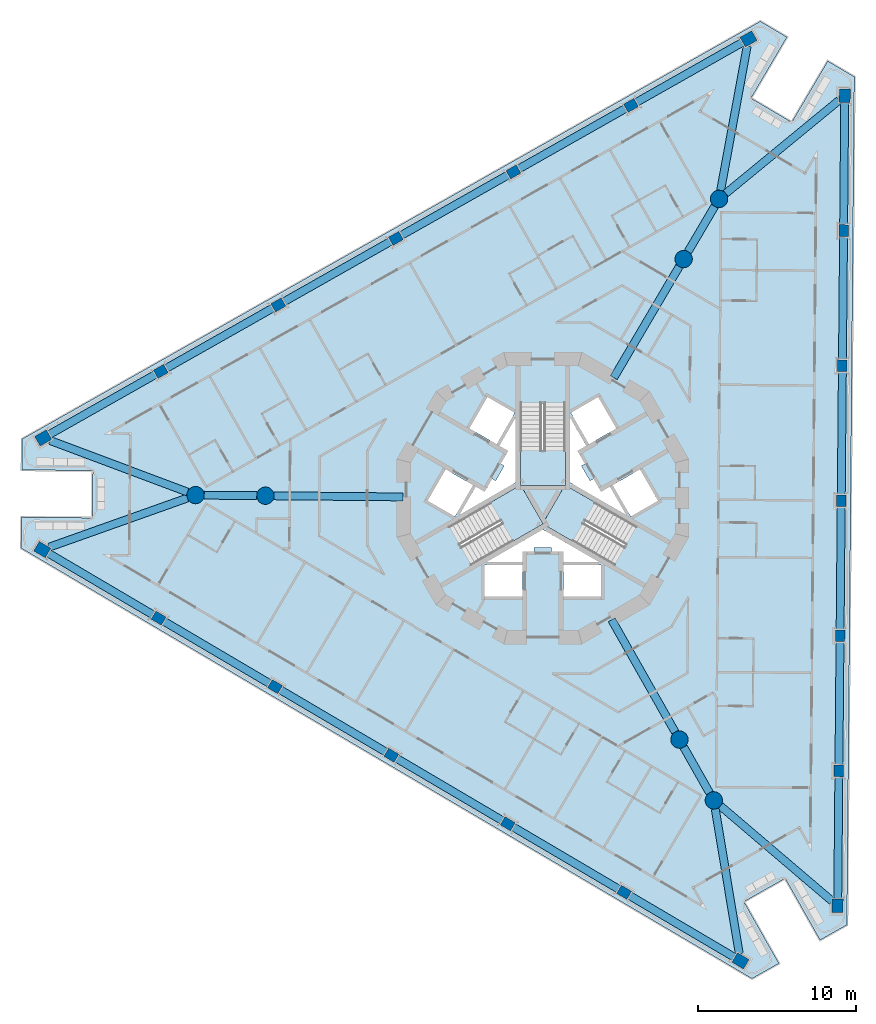
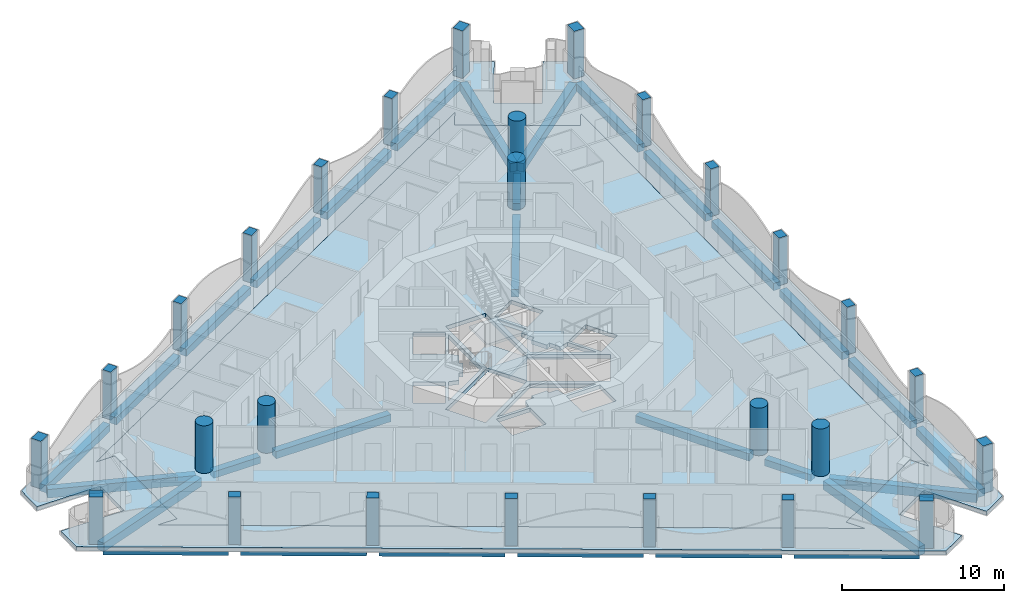
# One storey, part 1 of 17: 30 beams, 27 columns, 6 slabs, 3 elements without a shape of their own.
"""IFC4 building model written with IfcOpenShell, lengths in metres."""

import ifcopenshell
import ifcopenshell.guid

model = None  # the IFC model being written
_history = None  # IfcOwnerHistory: only IFC2X3 demands one
_inside = {}  # id of a spatial element -> (the spatial element, [elements in it])
_under = {}  # id of a project, library or spatial element -> (it, [spatial elements below it])
_declared = {}  # id of a project -> (the project, [libraries it declares])
_typed = {}  # id of a type object -> (the type object, [elements of that type])
_made_of = {}  # id of a material, layer set ... -> (it, [elements and type objects made of it])


def new_model(schema):
    """Start an empty IFC model of exactly this schema.

    Asked for "IFC4X3", IfcOpenShell would pick the latest addendum, in which some entities
    have other attributes; the version numbers below select the first issue.
    IFC2X3 requires an IfcOwnerHistory on every rooted entity: one is made here for all.
    """
    global model, _history
    if schema == "IFC4X3":
        model = ifcopenshell.file(schema_version=(4, 3, 0, 0))
    else:
        model = ifcopenshell.file(schema=schema)
    _inside.clear()
    _under.clear()
    _declared.clear()
    _typed.clear()
    _made_of.clear()
    _history = None
    if model.schema == "IFC2X3":
        org = make("IfcOrganization", Name="unknown")
        user = make(
            "IfcPersonAndOrganization",
            ThePerson=make("IfcPerson", FamilyName="unknown"),
            TheOrganization=org,
        )
        app = make(
            "IfcApplication",
            ApplicationDeveloper=org,
            Version="unknown",
            ApplicationFullName="unknown",
            ApplicationIdentifier="unknown",
        )
        _history = make(
            "IfcOwnerHistory",
            OwningUser=user,
            OwningApplication=app,
            ChangeAction="ADDED",
            CreationDate=0,
        )
    return model


def make(cls, **values):
    """One entity of the class cls with the attributes given. An attribute that is None is left unset."""
    return model.create_entity(
        cls, **{name: value for name, value in values.items() if value is not None}
    )


def rooted(cls, **values):
    """An entity with a GlobalId (a new one), such as an element, a storey or a relation."""
    return make(cls, GlobalId=ifcopenshell.guid.new(), OwnerHistory=_history, **values)


def si_unit(unit_type, name, prefix=None):
    """IfcSIUnit, for example si_unit("LENGTHUNIT", "METRE", prefix="MILLI")."""
    return make("IfcSIUnit", UnitType=unit_type, Prefix=prefix, Name=name)


def assignment(units):
    """IfcUnitAssignment: the units of a project."""
    return None if units is None else make("IfcUnitAssignment", Units=units)


def point(xyz):
    """IfcCartesianPoint."""
    return None if xyz is None else make("IfcCartesianPoint", Coordinates=xyz)


def direction(xyz):
    """IfcDirection."""
    return None if xyz is None else make("IfcDirection", DirectionRatios=xyz)


def frame(location, z_axis=None, x_axis=None):
    """IfcAxis2Placement3D, a coordinate frame: its origin and axes. An axis left out is left unset."""
    return make(
        "IfcAxis2Placement3D",
        Location=point(location),
        Axis=direction(z_axis),
        RefDirection=direction(x_axis),
    )


def frame_2d(location, x_axis=None):
    """IfcAxis2Placement2D, a coordinate frame in the plane: its origin and x axis."""
    return make(
        "IfcAxis2Placement2D", Location=point(location), RefDirection=direction(x_axis)
    )


def origin():
    """The frame at (0, 0, 0) with its axes left unset."""
    return frame((0.0, 0.0, 0.0))


def origin_2d():
    """The frame at (0, 0) in the plane with its x axis left unset."""
    return frame_2d((0.0, 0.0))


def place(relative_to, where):
    """IfcLocalPlacement: puts the frame where relative to a parent placement (None: the world)."""
    return make(
        "IfcLocalPlacement", PlacementRelTo=relative_to, RelativePlacement=where
    )


def context(
    kind, dimensions, precision=None, world=None, true_north=None, identifier=None
):
    """IfcGeometricRepresentationContext, for example the 3D "Model" context."""
    return make(
        "IfcGeometricRepresentationContext",
        ContextIdentifier=identifier,
        ContextType=kind,
        CoordinateSpaceDimension=dimensions,
        Precision=precision,
        WorldCoordinateSystem=world,
        TrueNorth=true_north,
    )


def subcontext(parent, identifier, kind, view, scale=None):
    """IfcGeometricRepresentationSubContext, for example "Body" below "Model"."""
    return make(
        "IfcGeometricRepresentationSubContext",
        ContextIdentifier=identifier,
        ContextType=kind,
        ParentContext=parent,
        TargetScale=scale,
        TargetView=view,
    )


def project(units=None, contexts=None):
    """IfcProject with its units and contexts."""
    return rooted(
        "IfcProject",
        Name="project",
        RepresentationContexts=contexts,
        UnitsInContext=assignment(units),
    )


def spatial(cls, under=None, at=None, **own):
    """A site, building, storey or space (cls), placed at a placement, below another one or the project."""
    s = rooted(cls, ObjectPlacement=at, **own)
    if under is not None:
        _under.setdefault(under.id(), (under, []))[1].append(s)
    return s


def polyline(points):
    """IfcPolyline through the points."""
    return make("IfcPolyline", Points=[point(p) for p in points])


def profile(cls, at=None, kind="AREA", **sizes):
    """A parametric profile (cls). Its sizes go by their IFC names, for example OverallWidth=200.0."""
    return make(cls, ProfileType=kind, Position=at, **sizes)


def rectangle(**sizes):
    """IfcRectangleProfileDef."""
    return profile("IfcRectangleProfileDef", **sizes)


def circle(**sizes):
    """IfcCircleProfileDef."""
    return profile("IfcCircleProfileDef", **sizes)


def outline(outer, holes=None, kind="AREA"):
    """IfcArbitraryClosedProfileDef: a profile drawn as a closed curve; with holes, ...WithVoids."""
    if holes is None:
        return make("IfcArbitraryClosedProfileDef", ProfileType=kind, OuterCurve=outer)
    return make(
        "IfcArbitraryProfileDefWithVoids",
        ProfileType=kind,
        OuterCurve=outer,
        InnerCurves=holes,
    )


def extrude(swept, where, along, depth):
    """IfcExtrudedAreaSolid: the profile swept, set in the frame where, extruded along a direction by depth."""
    return make(
        "IfcExtrudedAreaSolid",
        SweptArea=swept,
        Position=where,
        ExtrudedDirection=direction(along),
        Depth=depth,
    )


def shape(context_of_items, identifier, shape_type, items):
    """IfcShapeRepresentation: the items that make up one representation, for example the "Body"."""
    return make(
        "IfcShapeRepresentation",
        ContextOfItems=context_of_items,
        RepresentationIdentifier=identifier,
        RepresentationType=shape_type,
        Items=items,
    )


def material(Name=None, Category=None):
    """IfcMaterial."""
    return make("IfcMaterial", Name=Name, Category=Category)


def layer(
    of_material, thickness, ventilated=None, Name=None, Category=None, Priority=None
):
    """IfcMaterialLayer: one layer of a wall or slab, of a material (None: an air gap)."""
    return make(
        "IfcMaterialLayer",
        Material=of_material,
        LayerThickness=thickness,
        IsVentilated=ventilated,
        Name=Name,
        Category=Category,
        Priority=Priority,
    )


def layer_set(layers, Name=None):
    """IfcMaterialLayerSet."""
    return make("IfcMaterialLayerSet", MaterialLayers=layers, LayerSetName=Name)


def material_profile(
    of_material, cross_section, Name=None, Category=None, Priority=None
):
    """IfcMaterialProfile: a cross section and its material."""
    return make(
        "IfcMaterialProfile",
        Name=Name,
        Material=of_material,
        Profile=cross_section,
        Priority=Priority,
        Category=Category,
    )


def profile_set(profiles, Name=None, composite=None):
    """IfcMaterialProfileSet."""
    return make(
        "IfcMaterialProfileSet",
        Name=Name,
        MaterialProfiles=profiles,
        CompositeProfile=composite,
    )


def made_of(thing, what):
    """Note that an element or type object is made of a material, layer set ...; save() writes the relation."""
    if what is not None:
        _made_of.setdefault(what.id(), (what, []))[1].append(thing)
    return thing


def type_object(cls, material=None, **own):
    """A type object (cls), such as IfcWallType, which elements share."""
    return made_of(rooted(cls, **own), material)


def element(
    cls,
    number,
    at=None,
    inside=None,
    cuts=None,
    type_object=None,
    material=None,
    context=None,
    identifier="Body",
    shape_type=None,
    held_by="IfcProductDefinitionShape",
    body=None,
    shapes=None,
    **own,
):
    """One element of the class cls, such as IfcWall. Its Tag is "e" and its number.

    at: its placement. inside: the storey or other place that contains it. cuts: it is an
    opening in that element (IfcRelVoidsElement). A single representation is given by context,
    identifier, shape_type and body (its items); several are given by shapes. held_by: the class
    of the entity that holds the representations. save() writes the other relations.
    """
    e = rooted(cls, Tag="e%d" % number, ObjectPlacement=at, **own)
    if body is not None:
        shapes = [shape(context, identifier, shape_type, body)]
    if shapes is not None:
        e.Representation = make(held_by, Representations=shapes)
    if inside is not None:
        _inside.setdefault(inside.id(), (inside, []))[1].append(e)
    if cuts is not None:
        rooted(
            "IfcRelVoidsElement", RelatingBuildingElement=cuts, RelatedOpeningElement=e
        )
    if type_object is not None:
        _typed.setdefault(type_object.id(), (type_object, []))[1].append(e)
    return made_of(e, material)


def aggregate(whole, parts):
    """IfcRelAggregates: a whole, such as a stair, and the parts it consists of."""
    return rooted("IfcRelAggregates", RelatingObject=whole, RelatedObjects=parts)


def save(model, path):
    """Write the relations noted so far, then the file.

    IfcRelAggregates (storeys below a building ...), IfcRelContainedInSpatialStructure (elements
    in a storey), IfcRelDefinesByType, IfcRelAssociatesMaterial and IfcRelDeclares: one each for
    every whole, place, type object, material and project.
    """
    for whole, parts in _under.values():
        aggregate(whole, parts)
    for where, things in _inside.values():
        rooted(
            "IfcRelContainedInSpatialStructure",
            RelatedElements=things,
            RelatingStructure=where,
        )
    for kind, things in _typed.values():
        rooted("IfcRelDefinesByType", RelatedObjects=things, RelatingType=kind)
    for what, things in _made_of.values():
        rooted("IfcRelAssociatesMaterial", RelatedObjects=things, RelatingMaterial=what)
    for by, libraries in _declared.values():
        rooted("IfcRelDeclares", RelatingContext=by, RelatedDefinitions=libraries)
    model.write(path)


model = new_model("IFC4")

# Units and contexts
model_context = context("Model", 3, precision=1e-05, world=origin(), true_north=direction((0.0, 1.0)))
body_context = subcontext(model_context, "Body", "Model", "MODEL_VIEW")
ifc_project = project(units=[si_unit("LENGTHUNIT", "METRE"), si_unit("AREAUNIT", "SQUARE_METRE"), si_unit("VOLUMEUNIT", "CUBIC_METRE"), si_unit("PLANEANGLEUNIT", "RADIAN"), si_unit("MASSUNIT", "GRAM", prefix="KILO")], contexts=[model_context])

# Site, building, storey
site_placement = place(None, origin())
site = spatial("IfcSite", under=ifc_project, at=site_placement, CompositionType="ELEMENT")
building_placement = place(site_placement, origin())
building = spatial("IfcBuilding", under=site, at=building_placement, Name="Trine Commons Tower", CompositionType="ELEMENT")
storey_placement = place(building_placement, frame((0.0, 0.0, 182.699951171875)))
storey = spatial("IfcBuildingStorey", under=building, at=storey_placement, Name="L47", CompositionType="ELEMENT", Elevation=182.699951171875)

# Columns
ifc_material_1 = material(Name="Concrete C60/75", Category="concrete")
ifc_material_profile_1 = material_profile(ifc_material_1, rectangle(XDim=0.75, YDim=0.60009765625, at=origin_2d()), Name="RC 750x600")
ifc_profile_set_1 = profile_set([ifc_material_profile_1], Name="Concrete C60/75")
column_type_1 = type_object("IfcColumnType", Name="RC column 750x600, C60/75", PredefinedType="COLUMN", material=ifc_profile_set_1)
for number, where, z_axis, x_axis, name in (
    (1, (85.15771484375, 37.483154296875, 0.0), (0.0, 0.0, 1.0), (-0.861629160442, 0.507538362961, 0.0), "Column PC5-02 L47"),
    (2, (77.773193359375, 41.8330078125, 0.0), (0.0, 0.0, 1.0), (-0.861629160442, 0.507538362961, 0.0), "Column PC5-03 L47"),
    (3, (70.388427734375, 46.182861328125, 0.0), (0.0, 0.0, 1.0), (-0.861629160442, 0.507538362961, 0.0), "Column PC5-04 L47"),
    (4, (63.00390625, 50.53271484375, 0.0), (0.0, 0.0, 1.0), (-0.861629160442, 0.507538362961, 0.0), "Column PC5-05 L47"),
    (5, (55.619140625, 54.8828125, 0.0), (0.0, 0.0, 1.0), (-0.861629160442, 0.507538362961, 0.0), "Column PC5-06 L47"),
    (6, (55.755859375, 70.541748046875, 0.0), (0.0, 0.0, 1.0), (0.87035569594, 0.492423560103, 0.0), "Column PC5-09 L47"),
    (7, (63.215087890625, 74.761962890625, 0.0), (0.0, 0.0, 1.0), (0.87035569594, 0.492423560103, 0.0), "Column PC5-10 L47"),
    (8, (70.6748046875, 78.982421875, 0.0), (0.0, 0.0, 1.0), (0.87035569594, 0.492423560103, 0.0), "Column PC5-11 L47"),
    (9, (78.13427734375, 83.202880859375, 0.0), (0.0, 0.0, 1.0), (0.87035569594, 0.492423560103, 0.0), "Column PC5-12 L47"),
    (10, (85.59375, 87.423095703125, 0.0), (0.0, 0.0, 1.0), (0.87035569594, 0.492423560103, 0.0), "Column PC5-13 L47"),
    (11, (99.08642578125, 79.475341796875, 0.0), (0.0, 0.0, 1.0), (0.008726535498, 0.999961923064, 0.0), "Column PC5-16 L47"),
    (12, (99.01171875, 70.905029296875, 0.0), (0.0, 0.0, 1.0), (0.008726535498, 0.999961923064, 0.0), "Column PC5-17 L47"),
    (13, (98.936767578125, 62.334716796875, 0.0), (0.0, 0.0, 1.0), (0.008726535498, 0.999961923064, 0.0), "Column PC5-18 L47"),
    (14, (98.862060546875, 53.764404296875, 0.0), (0.0, 0.0, 1.0), (0.008726535498, 0.999961923064, 0.0), "Column PC5-19 L47"),
    (15, (98.787109375, 45.194091796875, 0.0), (0.0, 0.0, 1.0), (0.008726535498, 0.999961923064, 0.0), "Column PC5-20 L47"),
):
    element("IfcColumn", number, at=place(storey_placement, frame(where, z_axis=z_axis, x_axis=x_axis)), inside=storey, type_object=column_type_1, Name=name, PredefinedType="COLUMN", context=body_context, shape_type="SweptSolid", body=[
        extrude(rectangle(XDim=0.75, YDim=0.60009765625, at=origin_2d()), origin(), (0.0, 0.0, 1.0), 3.60009765625),
    ])
ifc_material_profile_2 = material_profile(ifc_material_1, rectangle(XDim=0.85009765625, YDim=0.699951171875, at=origin_2d()), Name="RC 850x700")
ifc_profile_set_2 = profile_set([ifc_material_profile_2], Name="Concrete C60/75")
column_type_2 = type_object("IfcColumnType", Name="RC column 850x700, C60/75", PredefinedType="COLUMN", material=ifc_profile_set_2)
for number, where, z_axis, x_axis, name in (
    (16, (92.54248046875, 33.133056640625, 0.0), (0.0, 0.0, 1.0), (-0.861629160442, 0.507538362961, 0.0), "Column PC5-01 L47"),
    (17, (48.234375, 59.232666015625, 0.0), (0.0, 0.0, 1.0), (-0.861629160442, 0.507538362961, 0.0), "Column PC5-07 L47"),
    (18, (48.29638671875, 66.3212890625, 0.0), (0.0, 0.0, 1.0), (0.87035569594, 0.492423560103, 0.0), "Column PC5-08 L47"),
    (19, (93.052978515625, 91.6435546875, 0.0), (0.0, 0.0, 1.0), (0.87035569594, 0.492423560103, 0.0), "Column PC5-14 L47"),
    (20, (99.1611328125, 88.045654296875, 0.0), (0.0, 0.0, 1.0), (0.008726535498, 0.999961923064, 0.0), "Column PC5-15 L47"),
    (21, (98.71240234375, 36.623779296875, 0.0), (0.0, 0.0, 1.0), (0.008726535498, 0.999961923064, 0.0), "Column PC5-21 L47"),
):
    element("IfcColumn", number, at=place(storey_placement, frame(where, z_axis=z_axis, x_axis=x_axis)), inside=storey, type_object=column_type_2, Name=name, PredefinedType="COLUMN", context=body_context, shape_type="SweptSolid", body=[
        extrude(rectangle(XDim=0.85009765625, YDim=0.699951171875, at=origin_2d()), origin(), (0.0, 0.0, 1.0), 3.60009765625),
    ])
ifc_material_profile_3 = material_profile(ifc_material_1, circle(Radius=0.550048828125, at=origin_2d()), Name="RC round 1100")
ifc_profile_set_3 = profile_set([ifc_material_profile_3], Name="Concrete C60/75")
column_type_3 = type_object("IfcColumnType", Name="RC round column 1100 mm, C60/75", PredefinedType="COLUMN", material=ifc_profile_set_3)
for number, where, z_axis, x_axis, name in (
    (22, (88.66943359375, 47.177001953125, 0.0), (0.0, 0.0, 1.0), (1.0, 0.0, 0.0), "Column WC5-1 L47"),
    (23, (90.85205078125, 43.319091796875, 0.0), (0.0, 0.0, 1.0), (1.0, 0.0, 0.0), "Column WC5-2 L47"),
    (24, (88.935546875, 77.66943359375, 0.0), (0.0, 0.0, 1.0), (1.0, 0.0, 0.0), "Column WC5-3 L47"),
    (25, (91.185302734375, 81.488525390625, 0.0), (0.0, 0.0, 1.0), (1.0, 0.0, 0.0), "Column WC5-4 L47"),
    (26, (62.39501953125, 62.653564453125, 0.0), (0.0, 0.0, 1.0), (1.0, 0.0, 0.0), "Column WC5-5 L47"),
    (27, (57.962890625, 62.6923828125, 0.0), (0.0, 0.0, 1.0), (1.0, 0.0, 0.0), "Column WC5-6 L47"),
):
    element("IfcColumn", number, at=place(storey_placement, frame(where, z_axis=z_axis, x_axis=x_axis)), inside=storey, type_object=column_type_3, Name=name, PredefinedType="COLUMN", context=body_context, shape_type="SweptSolid", body=[
        extrude(circle(Radius=0.550048828125, at=origin_2d()), origin(), (0.0, 0.0, 1.0), 3.60009765625),
    ])

# Beams
ifc_material_2 = material(Name="Concrete C40/50", Category="concrete")
ifc_material_profile_4 = material_profile(ifc_material_2, rectangle(XDim=0.5, YDim=0.5, at=origin_2d()), Name="RC 500x500")
ifc_profile_set_4 = profile_set([ifc_material_profile_4], Name="Concrete C40/50")
beam_type_1 = type_object("IfcBeamType", Name="RC beam 500x500, C40/50", PredefinedType="BEAM", material=ifc_profile_set_4)
beam_1_placement = place(storey_placement, frame((88.93994140625, 46.698486328125, -0.550048828125), z_axis=(0.492474717644, -0.870326750411, 0.0), x_axis=(0.870326750411, 0.492474717644, 0.0)))
element("IfcBeam", 28, at=beam_1_placement, inside=storey, type_object=beam_type_1, Name="Beam RB5-02 L47", PredefinedType="BEAM", context=body_context, shape_type="SweptSolid", body=[
    extrude(rectangle(XDim=0.5, YDim=0.5, at=origin_2d()), origin(), (0.0, 0.0, 1.0), 3.333251953125),
])
beam_2_placement = place(storey_placement, frame((89.21435546875, 78.142578125, -0.550048828125), z_axis=(0.507522450497, 0.861638533401, 0.0), x_axis=(-0.861638533401, 0.507522450497, 0.0)))
element("IfcBeam", 29, at=beam_2_placement, inside=storey, type_object=beam_type_1, Name="Beam RB5-04 L47", PredefinedType="BEAM", context=body_context, shape_type="SweptSolid", body=[
    extrude(rectangle(XDim=0.5, YDim=0.5, at=origin_2d()), origin(), (0.0, 0.0, 1.0), 3.334228515625),
])
beam_3_placement = place(storey_placement, frame((61.84521484375, 62.658447265625, -0.550048828125), z_axis=(-0.999962000851, 0.008717617443, 0.0), x_axis=(-0.008717617443, -0.999962000851, 0.0)))
element("IfcBeam", 30, at=beam_3_placement, inside=storey, type_object=beam_type_1, Name="Beam RB5-06 L47", PredefinedType="BEAM", context=body_context, shape_type="SweptSolid", body=[
    extrude(rectangle(XDim=0.5, YDim=0.5, at=origin_2d()), origin(), (0.0, 0.0, 1.0), 3.332763671875),
])
ifc_material_profile_5 = material_profile(ifc_material_2, rectangle(XDim=0.5, YDim=0.550048828125, at=origin_2d()), Name="RC 500x550")
ifc_profile_set_5 = profile_set([ifc_material_profile_5], Name="Concrete C40/50")
beam_type_2 = type_object("IfcBeamType", Name="RC beam 500x550, C40/50", PredefinedType="BEAM", material=ifc_profile_set_5)
beam_4_placement = place(storey_placement, frame((92.17626953125, 33.348876953125, -0.574951171875), z_axis=(-0.861628755535, 0.507539050354, 0.0), x_axis=(-0.507539050354, -0.861628755535, 0.0)))
element("IfcBeam", 31, at=beam_4_placement, inside=storey, type_object=beam_type_2, Name="Beam EB5-01 L47", PredefinedType="BEAM", context=body_context, shape_type="SweptSolid", body=[
    extrude(rectangle(XDim=0.5, YDim=0.550048828125, at=origin_2d()), origin(), (0.0, 0.0, 1.0), 7.7705078125),
])
beam_5_placement = place(storey_placement, frame((84.834716796875, 37.67333984375, -0.574951171875), z_axis=(-0.861632320767, 0.507532997755, 0.0), x_axis=(-0.507532997755, -0.861632320767, 0.0)))
element("IfcBeam", 32, at=beam_5_placement, inside=storey, type_object=beam_type_2, Name="Beam EB5-02 L47", PredefinedType="BEAM", context=body_context, shape_type="SweptSolid", body=[
    extrude(rectangle(XDim=0.5, YDim=0.550048828125, at=origin_2d()), origin(), (0.0, 0.0, 1.0), 7.820556640625),
])
beam_6_placement = place(storey_placement, frame((77.4501953125, 42.023193359375, -0.574951171875), z_axis=(-0.861618669075, 0.507556173345, 0.0), x_axis=(-0.507556173345, -0.861618669075, 0.0)))
element("IfcBeam", 33, at=beam_6_placement, inside=storey, type_object=beam_type_2, Name="Beam EB5-03 L47", PredefinedType="BEAM", context=body_context, shape_type="SweptSolid", body=[
    extrude(rectangle(XDim=0.5, YDim=0.550048828125, at=origin_2d()), origin(), (0.0, 0.0, 1.0), 7.82080078125),
])
for number, where, z_axis, x_axis, name in (
    (34, (70.0654296875, 46.373291015625, -0.574951171875), (-0.861632320767, 0.507532997755, 0.0), (-0.507532997755, -0.861632320767, 0.0), "Beam EB5-04 L47"),
    (35, (62.6806640625, 50.72314453125, -0.574951171875), (-0.861632320767, 0.507532997755, 0.0), (-0.507532997755, -0.861632320767, 0.0), "Beam EB5-05 L47"),
):
    element("IfcBeam", number, at=place(storey_placement, frame(where, z_axis=z_axis, x_axis=x_axis)), inside=storey, type_object=beam_type_2, Name=name, PredefinedType="BEAM", context=body_context, shape_type="SweptSolid", body=[
        extrude(rectangle(XDim=0.5, YDim=0.550048828125, at=origin_2d()), origin(), (0.0, 0.0, 1.0), 7.820556640625),
    ])
for number, where, z_axis, x_axis, name in (
    (36, (55.2958984375, 55.072998046875, -0.574951171875), (-0.861628755535, 0.507539050354, 0.0), (-0.507539050354, -0.861628755535, 0.0), "Beam EB5-06 L47"),
    (37, (48.666259765625, 66.530517578125, -0.574951171875), (0.870356200913, 0.492422667566, 0.0), (-0.492422667566, 0.870356200913, 0.0), "Beam EB5-07 L47"),
):
    element("IfcBeam", number, at=place(storey_placement, frame(where, z_axis=z_axis, x_axis=x_axis)), inside=storey, type_object=beam_type_2, Name=name, PredefinedType="BEAM", context=body_context, shape_type="SweptSolid", body=[
        extrude(rectangle(XDim=0.5, YDim=0.550048828125, at=origin_2d()), origin(), (0.0, 0.0, 1.0), 7.7705078125),
    ])
for number, where, z_axis, x_axis, name in (
    (38, (56.082275390625, 70.726318359375, -0.574951171875), (0.87035228491, 0.49242958903, 0.0), (-0.49242958903, 0.87035228491, 0.0), "Beam EB5-08 L47"),
    (39, (63.54150390625, 74.94677734375, -0.574951171875), (0.870373233333, 0.492392561578, 0.0), (-0.492392561578, 0.870373233333, 0.0), "Beam EB5-09 L47"),
    (40, (71.001220703125, 79.1669921875, -0.574951171875), (0.87035228491, 0.49242958903, 0.0), (-0.49242958903, 0.87035228491, 0.0), "Beam EB5-10 L47"),
    (41, (78.460693359375, 83.387451171875, -0.574951171875), (0.870365664344, 0.492405940592, 0.0), (-0.492405940592, 0.870365664344, 0.0), "Beam EB5-11 L47"),
):
    element("IfcBeam", number, at=place(storey_placement, frame(where, z_axis=z_axis, x_axis=x_axis)), inside=storey, type_object=beam_type_2, Name=name, PredefinedType="BEAM", context=body_context, shape_type="SweptSolid", body=[
        extrude(rectangle(XDim=0.5, YDim=0.550048828125, at=origin_2d()), origin(), (0.0, 0.0, 1.0), 7.820556640625),
    ])
beam_7_placement = place(storey_placement, frame((85.920166015625, 87.60791015625, -0.574951171875), z_axis=(0.870362048186, 0.492412332377, 0.0), x_axis=(-0.492412332377, 0.870362048186, 0.0)))
element("IfcBeam", 42, at=beam_7_placement, inside=storey, type_object=beam_type_2, Name="Beam EB5-12 L47", PredefinedType="BEAM", context=body_context, shape_type="SweptSolid", body=[
    extrude(rectangle(XDim=0.5, YDim=0.550048828125, at=origin_2d()), origin(), (0.0, 0.0, 1.0), 7.770263671875),
])
beam_8_placement = place(storey_placement, frame((99.157470703125, 87.62060546875, -0.574951171875), z_axis=(-0.008734388901, -0.999961854498, 0.0), x_axis=(0.999961854498, -0.008734388901, 0.0)))
element("IfcBeam", 43, at=beam_8_placement, inside=storey, type_object=beam_type_2, Name="Beam EB5-13 L47", PredefinedType="BEAM", context=body_context, shape_type="SweptSolid", body=[
    extrude(rectangle(XDim=0.5, YDim=0.550048828125, at=origin_2d()), origin(), (0.0, 0.0, 1.0), 7.7705078125),
])
for number, where, z_axis, x_axis, name in (
    (44, (99.0830078125, 79.100341796875, -0.574951171875), (-0.008709709586, -0.99996206976, 0.0), (0.99996206976, -0.008709709586, 0.0), "Beam EB5-14 L47"),
    (45, (99.00830078125, 70.530029296875, -0.574951171875), (-0.008709709586, -0.99996206976, 0.0), (0.99996206976, -0.008709709586, 0.0), "Beam EB5-15 L47"),
    (46, (98.93359375, 61.959716796875, -0.574951171875), (-0.008740924802, -0.999961797387, 0.0), (0.999961797387, -0.008740924802, 0.0), "Beam EB5-16 L47"),
    (47, (98.858642578125, 53.389404296875, -0.574951171875), (-0.008709709586, -0.99996206976, 0.0), (0.99996206976, -0.008709709586, 0.0), "Beam EB5-17 L47"),
):
    element("IfcBeam", number, at=place(storey_placement, frame(where, z_axis=z_axis, x_axis=x_axis)), inside=storey, type_object=beam_type_2, Name=name, PredefinedType="BEAM", context=body_context, shape_type="SweptSolid", body=[
        extrude(rectangle(XDim=0.5, YDim=0.550048828125, at=origin_2d()), origin(), (0.0, 0.0, 1.0), 7.820556640625),
    ])
beam_9_placement = place(storey_placement, frame((98.783935546875, 44.819091796875, -0.574951171875), z_axis=(-0.008734388901, -0.999961854498, 0.0), x_axis=(0.999961854498, -0.008734388901, 0.0)))
element("IfcBeam", 48, at=beam_9_placement, inside=storey, type_object=beam_type_2, Name="Beam EB5-18 L47", PredefinedType="BEAM", context=body_context, shape_type="SweptSolid", body=[
    extrude(rectangle(XDim=0.5, YDim=0.550048828125, at=origin_2d()), origin(), (0.0, 0.0, 1.0), 7.7705078125),
])
beam_10_placement = place(storey_placement, frame((84.369384765625, 54.777099609375, -0.574951171875), z_axis=(0.492419995537, -0.870357712665, 0.0), x_axis=(0.870357712665, 0.492419995537, 0.0)))
element("IfcBeam", 49, at=beam_10_placement, inside=storey, type_object=beam_type_2, Name="Beam RB5-01 L47", PredefinedType="BEAM", context=body_context, shape_type="SweptSolid", body=[
    extrude(rectangle(XDim=0.5, YDim=0.550048828125, at=origin_2d()), origin(), (0.0, 0.0, 1.0), 8.1826171875),
])
beam_11_placement = place(storey_placement, frame((84.50341796875, 70.1455078125, -0.574951171875), z_axis=(0.507559825452, 0.861616517708, 0.0), x_axis=(-0.861616517708, 0.507559825452, 0.0)))
element("IfcBeam", 50, at=beam_11_placement, inside=storey, type_object=beam_type_2, Name="Beam RB5-03 L47", PredefinedType="BEAM", context=body_context, shape_type="SweptSolid", body=[
    extrude(rectangle(XDim=0.5, YDim=0.550048828125, at=origin_2d()), origin(), (0.0, 0.0, 1.0), 8.182861328125),
])
beam_12_placement = place(storey_placement, frame((71.127197265625, 62.577392578125, -0.574951171875), z_axis=(-0.999962048186, 0.008712186128, 0.0), x_axis=(-0.008712186128, -0.999962048186, 0.0)))
element("IfcBeam", 51, at=beam_12_placement, inside=storey, type_object=beam_type_2, Name="Beam RB5-05 L47", PredefinedType="BEAM", context=body_context, shape_type="SweptSolid", body=[
    extrude(rectangle(XDim=0.5, YDim=0.550048828125, at=origin_2d()), origin(), (0.0, 0.0, 1.0), 8.1826171875),
])
ifc_material_profile_6 = material_profile(ifc_material_2, rectangle(XDim=0.5, YDim=0.64990234375, at=origin_2d()), Name="RC 500x650")
ifc_profile_set_6 = profile_set([ifc_material_profile_6], Name="Concrete C40/50")
beam_type_3 = type_object("IfcBeamType", Name="RC beam 500x650, C40/50", PredefinedType="BEAM", material=ifc_profile_set_6)
beam_13_placement = place(storey_placement, frame((48.664306640625, 59.385498046875, -0.625), z_axis=(0.94219208675, 0.335073233287, 0.0), x_axis=(-0.335073233287, 0.94219208675, 0.0)))
element("IfcBeam", 52, at=beam_13_placement, inside=storey, type_object=beam_type_3, Name="Beam CB5-01 L47", PredefinedType="BEAM", context=body_context, shape_type="SweptSolid", body=[
    extrude(rectangle(XDim=0.5, YDim=0.64990234375, at=origin_2d()), origin(), (0.0, 0.0, 1.0), 9.31982421875),
])
beam_14_placement = place(storey_placement, frame((48.7236328125, 66.160888671875, -0.625), z_axis=(0.936203156272, -0.351459315123, 0.0), x_axis=(0.351459315123, 0.936203156272, 0.0)))
element("IfcBeam", 53, at=beam_14_placement, inside=storey, type_object=beam_type_3, Name="Beam CB5-02 L47", PredefinedType="BEAM", context=body_context, shape_type="SweptSolid", body=[
    extrude(rectangle(XDim=0.5, YDim=0.64990234375, at=origin_2d()), origin(), (0.0, 0.0, 1.0), 9.3193359375),
])
beam_15_placement = place(storey_placement, frame((92.970458984375, 91.194580078125, -0.625), z_axis=(-0.180897704794, -0.983501916826, 0.0), x_axis=(0.983501916826, -0.180897704794, 0.0)))
element("IfcBeam", 54, at=beam_15_placement, inside=storey, type_object=beam_type_3, Name="Beam CB5-03 L47", PredefinedType="BEAM", context=body_context, shape_type="SweptSolid", body=[
    extrude(rectangle(XDim=0.5, YDim=0.64990234375, at=origin_2d()), origin(), (0.0, 0.0, 1.0), 9.319091796875),
])
beam_16_placement = place(storey_placement, frame((98.80859375, 87.755859375, -0.625), z_axis=(-0.772466897343, -0.635055031087, 0.0), x_axis=(0.635055031087, -0.772466897343, 0.0)))
element("IfcBeam", 55, at=beam_16_placement, inside=storey, type_object=beam_type_3, Name="Beam CB5-04 L47", PredefinedType="BEAM", context=body_context, shape_type="SweptSolid", body=[
    extrude(rectangle(XDim=0.5, YDim=0.64990234375, at=origin_2d()), origin(), (0.0, 0.0, 1.0), 9.31884765625),
])
beam_17_placement = place(storey_placement, frame((98.364990234375, 36.919921875, -0.625), z_axis=(-0.761281547068, 0.648421472573, 0.0), x_axis=(-0.648421472573, -0.761281547068, 0.0)))
element("IfcBeam", 56, at=beam_17_placement, inside=storey, type_object=beam_type_3, Name="Beam CB5-05 L47", PredefinedType="BEAM", context=body_context, shape_type="SweptSolid", body=[
    extrude(rectangle(XDim=0.5, YDim=0.64990234375, at=origin_2d()), origin(), (0.0, 0.0, 1.0), 9.319091796875),
])
beam_18_placement = place(storey_placement, frame((92.4677734375, 33.583251953125, -0.625), z_axis=(-0.163727753956, 0.986505561355, 0.0), x_axis=(-0.986505561355, -0.163727753956, 0.0)))
element("IfcBeam", 57, at=beam_18_placement, inside=storey, type_object=beam_type_3, Name="Beam CB5-06 L47", PredefinedType="BEAM", context=body_context, shape_type="SweptSolid", body=[
    extrude(rectangle(XDim=0.5, YDim=0.64990234375, at=origin_2d()), origin(), (0.0, 0.0, 1.0), 9.319580078125),
])

# Slabs
ifc_layer_1 = layer(ifc_material_2, 0.300048828125)
ifc_layer_set_1 = layer_set([ifc_layer_1], Name="Concrete C40/50")
slab_type_1 = type_object("IfcSlabType", Name="Loggia slab 300 mm, C40/50", PredefinedType="FLOOR", material=ifc_layer_set_1)
slab_1_placement = place(storey_placement, frame((0.0, 0.0, -0.300048828125)))
element("IfcSlab", 58, at=slab_1_placement, inside=storey, type_object=slab_type_1, Name="Loggia slab L47", PredefinedType="FLOOR", context=body_context, shape_type="SweptSolid", body=[
    extrude(outline(polyline([(99.302001953125, 35.418701171875), (99.771484375, 89.240234375), (98.079345703125, 90.237060546875), (95.79541015625, 86.35986328125), (93.21044921875, 87.88232421875), (95.494384765625, 91.759765625), (93.802001953125, 92.756591796875), (46.956298828125, 66.252685546875), (46.939208984375, 64.28857421875), (51.439208984375, 64.249267578125), (51.412841796875, 61.24951171875), (46.9130859375, 61.288818359375), (46.89599609375, 59.32470703125), (93.27197265625, 32.007080078125), (94.9814453125, 32.974365234375), (92.765380859375, 36.890869140625), (95.376708984375, 38.3681640625), (97.592529296875, 34.45166015625), (99.302001953125, 35.418701171875)]), holes=[polyline([(90.156982421875, 36.627197265625), (89.494873046875, 37.7978515625), (96.28369140625, 41.638916015625), (96.94580078125, 40.46826171875), (97.327880859375, 84.232666015625), (96.645263671875, 83.07373046875), (89.924560546875, 87.03271484375), (90.607177734375, 88.19140625), (52.514892578125, 66.639892578125), (53.860107421875, 66.62841796875), (53.7919921875, 58.82861328125), (52.447021484375, 58.84033203125), (90.156982421875, 36.627197265625)])]), origin(), (0.0, 0.0, 1.0), 0.300048828125),
])
ifc_layer_2 = layer(ifc_material_2, 0.300048828125)
ifc_layer_set_2 = layer_set([ifc_layer_2], Name="Concrete C40/50")
slab_type_2 = type_object("IfcSlabType", Name="PT flat slab 300 mm, C40/50", PredefinedType="FLOOR", material=ifc_layer_set_2)
slab_2_placement = place(storey_placement, frame((0.0, 0.0, -0.300048828125)))
element("IfcSlab", 59, at=slab_2_placement, inside=storey, type_object=slab_type_2, Name="Floor slab L47", PredefinedType="FLOOR", context=body_context, shape_type="SweptSolid", body=[
    extrude(outline(polyline([(52.447021484375, 58.84033203125), (90.156982421875, 36.627197265625), (89.494873046875, 37.7978515625), (96.28369140625, 41.638916015625), (96.94580078125, 40.46826171875), (97.327880859375, 84.232666015625), (96.645263671875, 83.07373046875), (89.924560546875, 87.03271484375), (90.607177734375, 88.19140625), (52.514892578125, 66.639892578125), (53.860107421875, 66.62841796875), (53.7919921875, 58.82861328125), (52.447021484375, 58.84033203125)]), holes=[polyline([(78.699951171875, 56.25), (78.699951171875, 58.25), (76.300048828125, 58.25), (76.300048828125, 56.25), (78.699951171875, 56.25)]), polyline([(80.0, 60.8544921875), (84.4755859375, 58.2705078125), (85.900390625, 60.73876953125), (81.425048828125, 63.32275390625), (81.425048828125, 68.490478515625), (78.574951171875, 68.490478515625), (78.574951171875, 63.32275390625), (74.099609375, 60.73876953125), (75.5244140625, 58.2705078125), (80.0, 60.8544921875)]), polyline([(73.83740234375, 64.325927734375), (72.687255859375, 62.333984375), (74.41943359375, 61.333984375), (75.5693359375, 63.325927734375), (73.83740234375, 64.325927734375)]), polyline([(76.381103515625, 63.031005859375), (75.742919921875, 63.22607421875), (74.7099609375, 61.43798828125), (78.27490234375, 63.49609375), (78.27490234375, 67.612060546875), (77.242919921875, 65.823974609375), (77.73095703125, 65.368896484375), (77.3310546875, 64.676025390625), (77.555908203125, 64.5458984375), (77.006103515625, 63.593994140625), (76.781005859375, 63.722900390625), (76.381103515625, 63.031005859375)]), polyline([(76.4873046875, 68.916015625), (75.33740234375, 66.924072265625), (77.0693359375, 65.924072265625), (78.219482421875, 67.916015625), (76.4873046875, 68.916015625)]), polyline([(83.699951171875, 56.25), (83.699951171875, 58.25), (81.300048828125, 58.25), (81.300048828125, 56.25), (83.699951171875, 56.25)]), polyline([(81.14990234375, 59.10009765625), (81.300048828125, 58.449951171875), (83.56494140625, 58.449951171875), (80.0, 60.508056640625), (76.43505859375, 58.449951171875), (78.699951171875, 58.449951171875), (78.85009765625, 59.10009765625), (79.449951171875, 59.10009765625), (79.449951171875, 59.360107421875), (80.550048828125, 59.360107421875), (80.550048828125, 59.10009765625), (81.14990234375, 59.10009765625)]), polyline([(86.16259765625, 64.325927734375), (84.4306640625, 63.325927734375), (85.58056640625, 61.333984375), (87.312744140625, 62.333984375), (86.16259765625, 64.325927734375)]), polyline([(83.243896484375, 63.738037109375), (82.993896484375, 63.593994140625), (82.444091796875, 64.5458984375), (82.72705078125, 64.7099609375), (82.281005859375, 65.549072265625), (82.757080078125, 65.823974609375), (81.72509765625, 67.612060546875), (81.72509765625, 63.49609375), (85.2900390625, 61.43798828125), (84.257080078125, 63.22607421875), (83.618896484375, 63.031005859375), (83.243896484375, 63.738037109375)]), polyline([(84.66259765625, 66.924072265625), (83.5126953125, 68.916015625), (81.780517578125, 67.916015625), (82.9306640625, 65.924072265625), (84.66259765625, 66.924072265625)])]), origin(), (0.0, 0.0, 1.0), 0.300048828125),
])
slab_3_placement = place(storey_placement, frame((0.0, 0.0, -0.300048828125)))
element("IfcSlab", 60, at=slab_3_placement, inside=storey, type_object=slab_type_2, Name="Floor slab L47 2", PredefinedType="FLOOR", context=body_context, shape_type="SweptSolid", body=[
    extrude(outline(polyline([(78.61328125, 63.300537109375), (80.0, 60.89892578125), (81.38671875, 63.300537109375), (78.61328125, 63.300537109375)])), origin(), (0.0, 0.0, 1.0), 0.300048828125),
])

# Stair, slab
ifc_material_3 = material(Name="Concrete C50/60", Category="concrete")
stair_type = type_object("IfcStairType", Name="Exit stair, dog-leg, 24 risers of 150 mm", PredefinedType="HALF_TURN_STAIR", material=ifc_material_3)
stair_1_placement = place(storey_placement, origin())
stair_1 = element("IfcStair", 61, at=stair_1_placement, inside=storey, type_object=stair_type, Name="L47 Exit stair ST1B", PredefinedType="HALF_TURN_STAIR")
ifc_layer_3 = layer(ifc_material_3, 0.199951171875)
ifc_layer_set_3 = layer_set([ifc_layer_3], Name="Concrete C50/60")
slab_type_3 = type_object("IfcSlabType", Name="Stair landing slab 200 mm, C50/60", PredefinedType="LANDING", material=ifc_layer_set_3)
slab_4_placement = place(storey_placement, frame((0.0, 0.0, 1.60009765625)))
slab_4 = element("IfcSlab", 62, at=slab_4_placement, type_object=slab_type_3, Name="ST1B landing 1", PredefinedType="LANDING", context=body_context, shape_type="SweptSolid", body=[
    extrude(outline(polyline([(78.574951171875, 65.570556640625), (78.574951171875, 63.300537109375), (81.425048828125, 63.300537109375), (81.425048828125, 65.570556640625), (78.574951171875, 65.570556640625)])), origin(), (0.0, 0.0, 1.0), 0.199951171875),
])
aggregate(stair_1, [slab_4])

stair_2_placement = place(storey_placement, origin())
stair_2 = element("IfcStair", 63, at=stair_2_placement, inside=storey, type_object=stair_type, Name="L47 Exit stair ST2B", PredefinedType="HALF_TURN_STAIR")
slab_5_placement = place(storey_placement, frame((0.0, 0.0, 1.60009765625)))
slab_5 = element("IfcSlab", 64, at=slab_5_placement, type_object=slab_type_3, Name="ST2B landing 1", PredefinedType="LANDING", context=body_context, shape_type="SweptSolid", body=[
    extrude(outline(polyline([(78.05322265625, 59.730712890625), (80.019287109375, 60.86572265625), (78.59423828125, 63.333740234375), (76.628173828125, 62.19873046875), (78.05322265625, 59.730712890625)])), origin(), (0.0, 0.0, 1.0), 0.199951171875),
])
aggregate(stair_2, [slab_5])

stair_3_placement = place(storey_placement, origin())
stair_3 = element("IfcStair", 65, at=stair_3_placement, inside=storey, type_object=stair_type, Name="L47 Exit stair ST3B", PredefinedType="HALF_TURN_STAIR")
slab_6_placement = place(storey_placement, frame((0.0, 0.0, 1.60009765625)))
slab_6 = element("IfcSlab", 66, at=slab_6_placement, type_object=slab_type_3, Name="ST3B landing 1", PredefinedType="LANDING", context=body_context, shape_type="SweptSolid", body=[
    extrude(outline(polyline([(83.371826171875, 62.19873046875), (81.40576171875, 63.333740234375), (79.980712890625, 60.86572265625), (81.94677734375, 59.730712890625), (83.371826171875, 62.19873046875)])), origin(), (0.0, 0.0, 1.0), 0.199951171875),
])
aggregate(stair_3, [slab_6])

save(model, "model.ifc")
